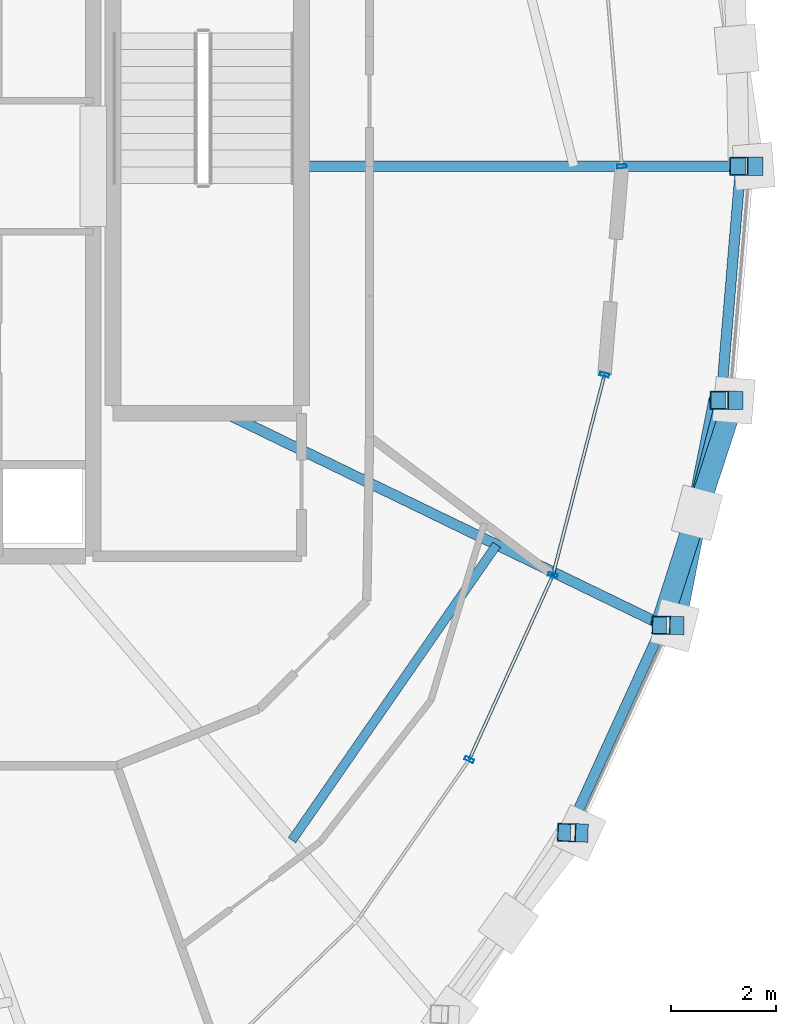
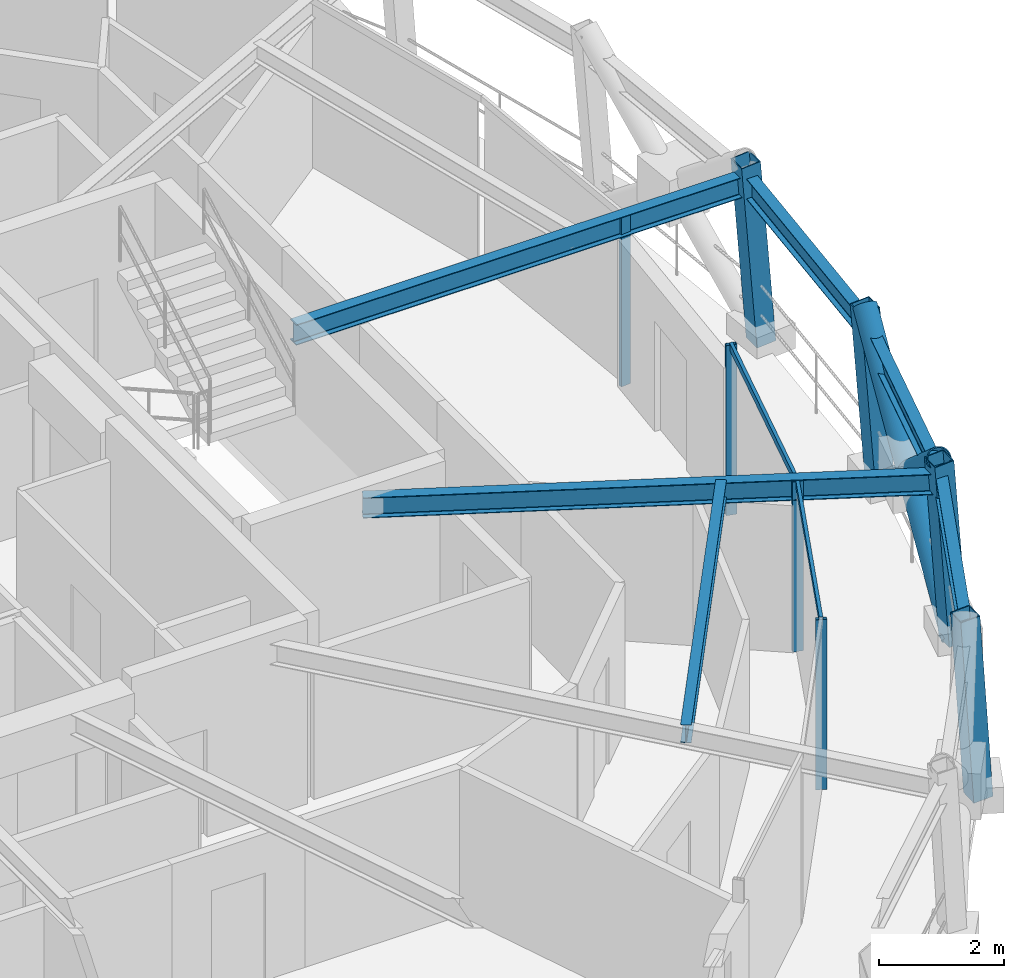
# One storey, part 4 of 15: 13 members, 6 beams, 2 elements without a shape of their own.
"""IFC4 building model written with IfcOpenShell, lengths in metres."""

from ifc_helpers import new_model, si_unit, direction, frame, origin, origin_2d, place, context, subcontext, project, spatial, hollow_rectangle, hollow_circle, i_section, extrude, material, layer, layer_set, material_profile, profile_set, type_object, element, aggregate, save


model = new_model("IFC4")

# Units and contexts
model_context = context("Model", 3, precision=1e-05, world=origin(), true_north=direction((0.0, 1.0)))
body_context = subcontext(model_context, "Body", "Model", "MODEL_VIEW")
ifc_project = project(units=[si_unit("LENGTHUNIT", "METRE"), si_unit("AREAUNIT", "SQUARE_METRE"), si_unit("VOLUMEUNIT", "CUBIC_METRE"), si_unit("PLANEANGLEUNIT", "RADIAN"), si_unit("MASSUNIT", "GRAM", prefix="KILO")], contexts=[model_context])

# Site, building, storey
site_placement = place(None, origin())
site = spatial("IfcSite", under=ifc_project, at=site_placement, CompositionType="ELEMENT")
building_placement = place(site_placement, origin())
building = spatial("IfcBuilding", under=site, at=building_placement, Name="Veldorina Hangang Commons", CompositionType="ELEMENT")
storey_placement = place(building_placement, frame((0.0, 0.0, 290.39990234375)))
storey = spatial("IfcBuildingStorey", under=building, at=storey_placement, Name="L76", CompositionType="ELEMENT", Elevation=290.39990234375)

# Beams
ifc_material_1 = material(Name="Steel SM355-TMC", Category="steel")
ifc_material_profile_1 = material_profile(ifc_material_1, i_section(OverallWidth=0.199951171875, OverallDepth=0.39990234375, WebThickness=0.008056640625, FlangeThickness=0.012939453125, FilletRadius=0.012939453125, at=origin_2d()), Name="H-400x200x8x13")
ifc_profile_set_1 = profile_set([ifc_material_profile_1], Name="Steel SM355-TMC")
beam_type_1 = type_object("IfcBeamType", Name="BM-FG400", PredefinedType="BEAM", material=ifc_profile_set_1)
beam_1_placement = place(storey_placement, frame((43.179931640625, 24.0, 3.16015625), z_axis=(1.0, 0.0, 0.0), x_axis=(0.0, 1.0, 0.0)))
element("IfcBeam", 1, at=beam_1_placement, inside=storey, type_object=beam_type_1, Name="L76 radial floor girder 01", PredefinedType="BEAM", context=body_context, shape_type="SweptSolid", body=[
    extrude(i_section(OverallWidth=0.199951171875, OverallDepth=0.39990234375, WebThickness=0.008056640625, FlangeThickness=0.012939453125, FilletRadius=0.012939453125, at=origin_2d()), origin(), (0.0, 0.0, 1.0), 8.390869140625),
])
beam_2_placement = place(storey_placement, frame((41.732666015625, 19.280029296875, 3.16015625), z_axis=(0.89976652359, -0.436371634076, 0.0), x_axis=(0.436371634076, 0.89976652359, 0.0)))
element("IfcBeam", 2, at=beam_2_placement, inside=storey, type_object=beam_type_1, Name="L76 radial floor girder 16", PredefinedType="BEAM", context=body_context, shape_type="SweptSolid", body=[
    extrude(i_section(OverallWidth=0.199951171875, OverallDepth=0.39990234375, WebThickness=0.008056640625, FlangeThickness=0.012939453125, FilletRadius=0.012939453125, at=origin_2d()), origin(), (0.0, 0.0, 1.0), 9.2783203125),
])
ifc_material_profile_2 = material_profile(ifc_material_1, i_section(OverallWidth=0.175048828125, OverallDepth=0.35009765625, WebThickness=0.007080078125, FlangeThickness=0.010986328125, FilletRadius=0.012939453125, at=origin_2d()), Name="H-350x175x7x11")
ifc_profile_set_2 = profile_set([ifc_material_profile_2], Name="Steel SM355-TMC")
beam_type_2 = type_object("IfcBeamType", Name="BM-JST350", PredefinedType="JOIST", material=ifc_profile_set_2)
beam_3_placement = place(storey_placement, frame((42.998046875, 11.12353515625, 3.18505859375), z_axis=(0.569378171283, 0.822075725263, 0.0), x_axis=(-0.822075725263, 0.569378171283, 0.0)))
element("IfcBeam", 3, at=beam_3_placement, inside=storey, type_object=beam_type_2, Name="L76 secondary floor joist 15", PredefinedType="JOIST", context=body_context, shape_type="SweptSolid", body=[
    extrude(i_section(OverallWidth=0.175048828125, OverallDepth=0.35009765625, WebThickness=0.007080078125, FlangeThickness=0.010986328125, FilletRadius=0.012939453125, at=origin_2d()), origin(), (0.0, 0.0, 1.0), 6.8681640625),
])
ifc_material_profile_3 = material_profile(ifc_material_1, i_section(OverallWidth=0.199951171875, OverallDepth=0.39990234375, WebThickness=0.008056640625, FlangeThickness=0.012939453125, FilletRadius=0.012939453125, at=origin_2d()), Name="H-400x200x8x13")
ifc_profile_set_3 = profile_set([ifc_material_profile_3], Name="Steel SM355-TMC")
beam_type_3 = type_object("IfcBeamType", Name="BM-RB400", PredefinedType="BEAM", material=ifc_profile_set_3)
beam_4_placement = place(storey_placement, frame((48.272705078125, 11.27001953125, 3.16015625), z_axis=(0.415289323672, 0.909689385254, 0.0), x_axis=(-0.909689385254, 0.415289323672, 0.0)))
element("IfcBeam", 4, at=beam_4_placement, inside=storey, type_object=beam_type_3, Name="L76 perimeter hoop ring beam 29", PredefinedType="BEAM", context=body_context, shape_type="SweptSolid", body=[
    extrude(i_section(OverallWidth=0.199951171875, OverallDepth=0.39990234375, WebThickness=0.008056640625, FlangeThickness=0.012939453125, FilletRadius=0.012939453125, at=origin_2d()), origin(), (0.0, 0.0, 1.0), 4.3544921875),
])
beam_5_placement = place(storey_placement, frame((50.0810546875, 15.231201171875, 3.16015625), z_axis=(0.250819052404, 0.968033988531, 0.0), x_axis=(-0.968033988531, 0.250819052404, 0.0)))
element("IfcBeam", 5, at=beam_5_placement, inside=storey, type_object=beam_type_3, Name="L76 perimeter hoop ring beam 30", PredefinedType="BEAM", context=body_context, shape_type="SweptSolid", body=[
    extrude(i_section(OverallWidth=0.199951171875, OverallDepth=0.39990234375, WebThickness=0.008056640625, FlangeThickness=0.012939453125, FilletRadius=0.012939453125, at=origin_2d()), origin(), (0.0, 0.0, 1.0), 4.4404296875),
])
beam_6_placement = place(storey_placement, frame((51.19482421875, 19.52978515625, 3.16015625), z_axis=(0.083811127984, 0.996481658048, 0.0), x_axis=(-0.996481658048, 0.083811127984, 0.0)))
element("IfcBeam", 6, at=beam_6_placement, inside=storey, type_object=beam_type_3, Name="L76 perimeter hoop ring beam 31", PredefinedType="BEAM", context=body_context, shape_type="SweptSolid", body=[
    extrude(i_section(OverallWidth=0.199951171875, OverallDepth=0.39990234375, WebThickness=0.008056640625, FlangeThickness=0.012939453125, FilletRadius=0.012939453125, at=origin_2d()), origin(), (0.0, 0.0, 1.0), 4.486083984375),
])

# Curtain wall, member
ifc_material_2 = material(Name="Glass Low-E Selective", Category="glass")
ifc_layer = layer(ifc_material_2, 0.179931640625)
ifc_layer_set = layer_set([ifc_layer], Name="Glass Low-E Selective")
curtain_wall_type = type_object("IfcCurtainWallType", Name="CW-SYS-Z3", PredefinedType="NOTDEFINED", material=ifc_layer_set)
curtain_wall_1_placement = place(storey_placement, origin())
curtain_wall_1 = element("IfcCurtainWall", 7, at=curtain_wall_1_placement, inside=storey, type_object=curtain_wall_type, Name="L76 unitised curtain wall CW-L76-R1", PredefinedType="NOTDEFINED")
ifc_material_3 = material(Name="Aluminium Anodized AA6063-T6", Category="aluminium")
ifc_material_profile_4 = material_profile(ifc_material_3, hollow_rectangle(XDim=0.070068359375, YDim=0.179931640625, WallThickness=0.00390625, at=origin_2d()), Name="ALU-RHS-180x70x4")
ifc_profile_set_4 = profile_set([ifc_material_profile_4], Name="Aluminium Anodized AA6063-T6")
member_type_1 = type_object("IfcMemberType", Name="CW-MUL-180", PredefinedType="MULLION", material=ifc_profile_set_4)
member_1_placement = place(storey_placement, frame((49.30126953125, 24.0, 0.0), z_axis=(0.0, 0.0, 1.0), x_axis=(-0.083208247862, 0.996532180859, 0.0)))
member_1 = element("IfcMember", 8, at=member_1_placement, type_object=member_type_1, Name="CW-L76-R1 vertical mullion 1", PredefinedType="MULLION", context=body_context, shape_type="SweptSolid", body=[
    extrude(hollow_rectangle(XDim=0.070068359375, YDim=0.179931640625, WallThickness=0.00390625, at=origin_2d()), origin(), (0.0, 0.0, 1.0), 3.320068359375),
])
aggregate(curtain_wall_1, [member_1])

# Curtain wall, members
curtain_wall_2_placement = place(storey_placement, origin())
curtain_wall_2 = element("IfcCurtainWall", 9, at=curtain_wall_2_placement, inside=storey, type_object=curtain_wall_type, Name="L76 unitised curtain wall CW-L76-R2", PredefinedType="NOTDEFINED")
member_2_placement = place(storey_placement, frame((46.385498046875, 12.6640625, 0.0), z_axis=(0.0, 0.0, 1.0), x_axis=(0.412802412978, 0.910820601348, 0.0)))
member_2 = element("IfcMember", 10, at=member_2_placement, type_object=member_type_1, Name="CW-L76-R2 vertical mullion 2", PredefinedType="MULLION", context=body_context, shape_type="SweptSolid", body=[
    extrude(hollow_rectangle(XDim=0.070068359375, YDim=0.179931640625, WallThickness=0.00390625, at=origin_2d()), origin(), (0.0, 0.0, 1.0), 3.320068359375),
])
member_3_placement = place(storey_placement, frame((47.984375, 16.191650390625, 0.0), z_axis=(0.0, 0.0, 1.0), x_axis=(0.249129390641, 0.968470209515, 0.0)))
member_3 = element("IfcMember", 11, at=member_3_placement, type_object=member_type_1, Name="CW-L76-R2 vertical mullion 3", PredefinedType="MULLION", context=body_context, shape_type="SweptSolid", body=[
    extrude(hollow_rectangle(XDim=0.070068359375, YDim=0.179931640625, WallThickness=0.00390625, at=origin_2d()), origin(), (0.0, 0.0, 1.0), 3.320068359375),
])
member_4_placement = place(storey_placement, frame((48.968994140625, 20.019287109375, 0.0), z_axis=(0.0, 0.0, 1.0), x_axis=(-0.249129390641, -0.968470209515, 0.0)))
member_4 = element("IfcMember", 12, at=member_4_placement, type_object=member_type_1, Name="CW-L76-R2 vertical mullion 4", PredefinedType="MULLION", context=body_context, shape_type="SweptSolid", body=[
    extrude(hollow_rectangle(XDim=0.070068359375, YDim=0.179931640625, WallThickness=0.00390625, at=origin_2d()), origin(), (0.0, 0.0, 1.0), 3.320068359375),
])
ifc_material_profile_5 = material_profile(ifc_material_3, hollow_rectangle(XDim=0.06005859375, YDim=0.139892578125, WallThickness=0.00341796875, at=origin_2d()), Name="ALU-RHS-140x60x3.5")
ifc_profile_set_5 = profile_set([ifc_material_profile_5], Name="Aluminium Anodized AA6063-T6")
member_type_2 = type_object("IfcMemberType", Name="CW-TRN-140", PredefinedType="USERDEFINED", material=ifc_profile_set_5)
member_5_placement = place(storey_placement, frame((46.385498046875, 12.6640625, 3.280029296875), z_axis=(0.412824348326, 0.910810659484, 0.0), x_axis=(-0.910810659484, 0.412824348326, 0.0)))
member_5 = element("IfcMember", 13, at=member_5_placement, type_object=member_type_2, Name="CW-L76-R2 facet 3 transom 1", ObjectType="TRANSOM", PredefinedType="USERDEFINED", context=body_context, shape_type="SweptSolid", body=[
    extrude(hollow_rectangle(XDim=0.06005859375, YDim=0.139892578125, WallThickness=0.00341796875, at=origin_2d()), origin(), (0.0, 0.0, 1.0), 3.873046875),
])
member_6_placement = place(storey_placement, frame((47.984375, 16.191650390625, 3.280029296875), z_axis=(0.249128778543, 0.968470366971, 0.0), x_axis=(-0.968470366971, 0.249128778543, 0.0)))
member_6 = element("IfcMember", 14, at=member_6_placement, type_object=member_type_2, Name="CW-L76-R2 facet 4 transom 1", ObjectType="TRANSOM", PredefinedType="USERDEFINED", context=body_context, shape_type="SweptSolid", body=[
    extrude(hollow_rectangle(XDim=0.06005859375, YDim=0.139892578125, WallThickness=0.00341796875, at=origin_2d()), origin(), (0.0, 0.0, 1.0), 3.9521484375),
])
aggregate(curtain_wall_2, [member_2, member_3, member_4, member_5, member_6])

# Members
ifc_material_profile_6 = material_profile(ifc_material_1, hollow_circle(Radius=0.199951171875, WallThickness=0.02001953125, at=origin_2d()), Name="CHS-400x20")
ifc_profile_set_6 = profile_set([ifc_material_profile_6], Name="Steel SM355-TMC")
member_type_3 = type_object("IfcMemberType", Name="DG-CHS400", PredefinedType="BRACE", material=ifc_profile_set_6)
member_7_placement = place(storey_placement, frame((50.3125, 15.227294921875, 0.0), z_axis=(0.149480747293, 0.758332956329, 0.634497150138), x_axis=(-0.981120754335, 0.193396135983, 0.0)))
element("IfcMember", 15, at=member_7_placement, inside=storey, type_object=member_type_3, Name="L76 continuous perimeter diagrid brace 30", PredefinedType="BRACE", context=body_context, shape_type="SweptSolid", body=[
    extrude(hollow_circle(Radius=0.199951171875, WallThickness=0.02001953125, at=origin_2d()), origin(), (0.0, 0.0, 1.0), 5.673828125),
])
member_8_placement = place(storey_placement, frame((51.4404296875, 19.527587890625, 0.0), z_axis=(-0.243464633582, -0.743065550655, 0.62336069785), x_axis=(0.950291392357, -0.31136195916, 0.0)))
element("IfcMember", 16, at=member_8_placement, inside=storey, type_object=member_type_3, Name="L76 split perimeter diagrid lower brace 31", PredefinedType="BRACE", context=body_context, shape_type="SweptSolid", body=[
    extrude(hollow_circle(Radius=0.199951171875, WallThickness=0.02001953125, at=origin_2d()), origin(), (0.0, 0.0, 1.0), 2.889892578125),
])
member_9_placement = place(storey_placement, frame((50.73681640625, 17.380126953125, 1.801513671875), z_axis=(-0.238474505112, -0.744619293997, 0.623435656197), x_axis=(0.952351230862, -0.305003496826, 0.0)))
element("IfcMember", 17, at=member_9_placement, inside=storey, type_object=member_type_3, Name="L76 split perimeter diagrid upper brace 31", PredefinedType="BRACE", context=body_context, shape_type="SweptSolid", body=[
    extrude(hollow_circle(Radius=0.199951171875, WallThickness=0.02001953125, at=origin_2d()), origin(), (0.0, 0.0, 1.0), 2.885009765625),
])
ifc_material_profile_7 = material_profile(ifc_material_1, hollow_rectangle(XDim=0.35009765625, YDim=0.35009765625, WallThickness=0.01611328125, at=origin_2d()), Name="SHS-350x350x16")
ifc_profile_set_7 = profile_set([ifc_material_profile_7], Name="Steel SM355-TMC")
member_type_4 = type_object("IfcMemberType", Name="STR-SHS350", PredefinedType="STRUT", material=ifc_profile_set_7)
member_10_placement = place(storey_placement, frame((51.8212890625, 24.0, 0.0), z_axis=(-0.079027794031, 0.0, 0.996872412985), x_axis=(0.0, -1.0, 0.0)))
element("IfcMember", 18, at=member_10_placement, inside=storey, type_object=member_type_4, Name="L76 perimeter ring node post 00", PredefinedType="STRUT", context=body_context, shape_type="SweptSolid", body=[
    extrude(hollow_rectangle(XDim=0.35009765625, YDim=0.35009765625, WallThickness=0.01611328125, at=origin_2d()), origin(), (0.0, 0.0, 1.0), 3.611328125),
])
member_11_placement = place(storey_placement, frame((48.480712890625, 11.263916015625, 0.0), z_axis=(-0.065705950806, 0.001894713309, 0.997837230259), x_axis=(-0.028824269664, -0.999584494417, 0.0)))
element("IfcMember", 19, at=member_11_placement, inside=storey, type_object=member_type_4, Name="L76 perimeter ring node post 29", PredefinedType="STRUT", context=body_context, shape_type="SweptSolid", body=[
    extrude(hollow_rectangle(XDim=0.35009765625, YDim=0.35009765625, WallThickness=0.01611328125, at=origin_2d()), origin(), (0.0, 0.0, 1.0), 3.60791015625),
])
member_12_placement = place(storey_placement, frame((50.3125, 15.227294921875, 0.0), z_axis=(-0.073044492313, 0.001285041994, 0.997327855226), x_axis=(-0.017589870777, -0.999845286255, 0.0)))
element("IfcMember", 20, at=member_12_placement, inside=storey, type_object=member_type_4, Name="L76 perimeter ring node post 30", PredefinedType="STRUT", context=body_context, shape_type="SweptSolid", body=[
    extrude(hollow_rectangle(XDim=0.35009765625, YDim=0.35009765625, WallThickness=0.01611328125, at=origin_2d()), origin(), (0.0, 0.0, 1.0), 3.60986328125),
])
member_13_placement = place(storey_placement, frame((51.4404296875, 19.527587890625, 0.0), z_axis=(-0.077482337309, 0.000676111146, 0.996993495605), x_axis=(-0.008725671297, -0.999961930606, 0.0)))
element("IfcMember", 21, at=member_13_placement, inside=storey, type_object=member_type_4, Name="L76 perimeter ring node post 31", PredefinedType="STRUT", context=body_context, shape_type="SweptSolid", body=[
    extrude(hollow_rectangle(XDim=0.35009765625, YDim=0.35009765625, WallThickness=0.01611328125, at=origin_2d()), origin(), (0.0, 0.0, 1.0), 3.61083984375),
])

save(model, "model.ifc")
